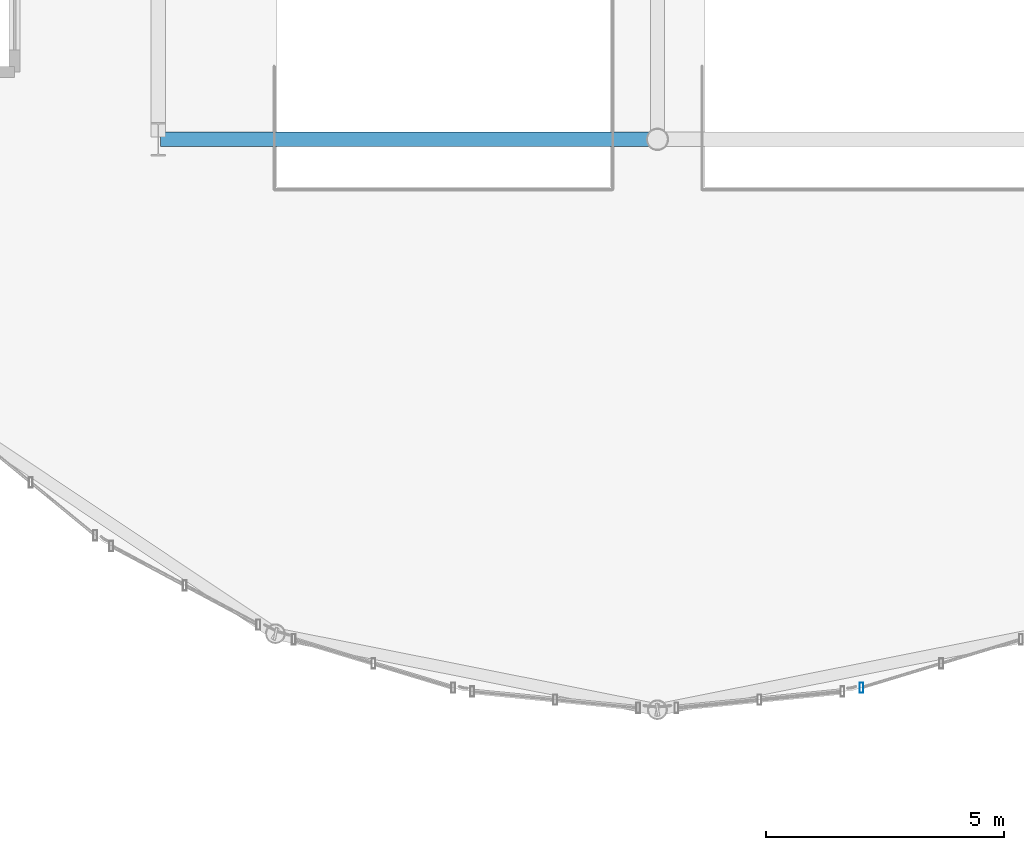
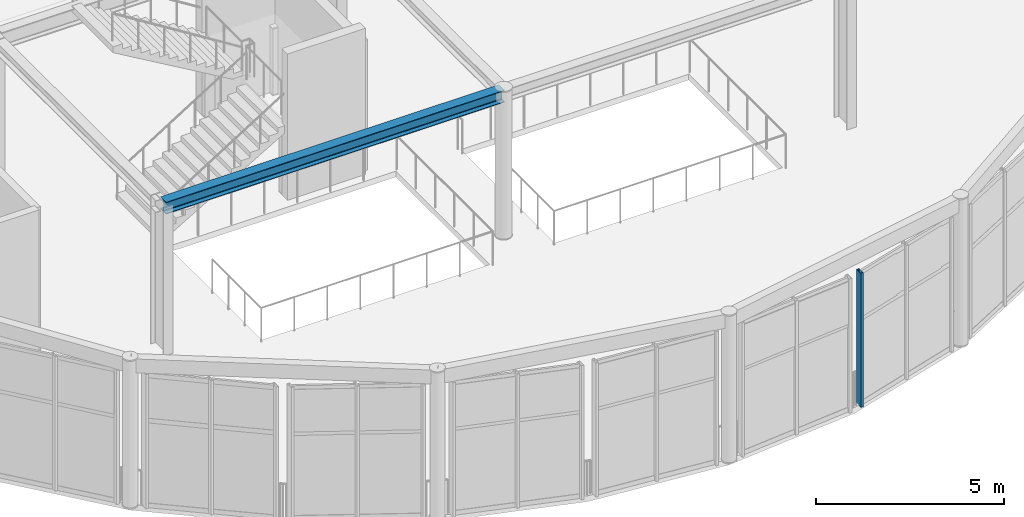
# One storey, part 30 of 143: 1 beam, 1 member, 1 element without a shape of its own.
"""IFC4 building model written with IfcOpenShell, lengths in metres."""

from ifc_helpers import new_model, si_unit, direction, frame, origin, origin_2d, place, context, subcontext, project, spatial, hollow_rectangle, i_section, extrude, material, layer, layer_set, material_profile, profile_set, type_object, element, aggregate, save


model = new_model("IFC4")

# Units and contexts
model_context = context("Model", 3, precision=1e-05, world=origin(), true_north=direction((0.0, 1.0)))
body_context = subcontext(model_context, "Body", "Model", "MODEL_VIEW")
ifc_project = project(units=[si_unit("LENGTHUNIT", "METRE"), si_unit("AREAUNIT", "SQUARE_METRE"), si_unit("VOLUMEUNIT", "CUBIC_METRE"), si_unit("PLANEANGLEUNIT", "RADIAN"), si_unit("MASSUNIT", "GRAM", prefix="KILO")], contexts=[model_context])

# Site, building, storey
site_placement = place(None, origin())
site = spatial("IfcSite", under=ifc_project, at=site_placement, CompositionType="ELEMENT")
building_placement = place(site_placement, origin())
building = spatial("IfcBuilding", under=site, at=building_placement, Name="Marlcrest Central Station", CompositionType="ELEMENT")
storey_placement = place(building_placement, frame((0.0, 0.0, 4.800048828125)))
storey = spatial("IfcBuildingStorey", under=building, at=storey_placement, Name="L01", CompositionType="ELEMENT", Elevation=4.800048828125)

# Beam
ifc_material_1 = material(Name="Steel S355", Category="steel")
ifc_material_profile_1 = material_profile(ifc_material_1, i_section(OverallWidth=0.300048828125, OverallDepth=0.389892578125, WebThickness=0.010986328125, FlangeThickness=0.01904296875, FilletRadius=0.027099609375, at=origin_2d()), Name="HEA 400")
ifc_profile_set_1 = profile_set([ifc_material_profile_1], Name="Steel S355")
beam_type = type_object("IfcBeamType", Name="BM-08", PredefinedType="BEAM", material=ifc_profile_set_1)
beam_placement = place(storey_placement, frame((97.550048828125, 13.5, 4.619873046875), z_axis=(1.0, 0.0, 0.0), x_axis=(0.0, 1.0, 0.0)))
element("IfcBeam", 1, at=beam_placement, inside=storey, type_object=beam_type, Name="bm-BM-08-L01-01365", PredefinedType="BEAM", context=body_context, shape_type="SweptSolid", body=[
    extrude(i_section(OverallWidth=0.300048828125, OverallDepth=0.389892578125, WebThickness=0.010986328125, FlangeThickness=0.01904296875, FilletRadius=0.027099609375, at=origin_2d()), origin(), (0.0, 0.0, 1.0), 10.39990234375),
])

# Curtain wall, member
ifc_material_2 = material(Name="Anodised aluminium and hurricane laminated glass", Category="aluminium")
ifc_layer = layer(ifc_material_2, 0.219970703125, Name="CW-U1")
ifc_layer_set = layer_set([ifc_layer], Name="Anodised aluminium and hurricane laminated glass")
curtain_wall_type = type_object("IfcCurtainWallType", Name="CW-U1", PredefinedType="USERDEFINED", material=ifc_layer_set)
curtain_wall_placement = place(storey_placement, origin())
curtain_wall = element("IfcCurtainWall", 2, at=curtain_wall_placement, inside=storey, type_object=curtain_wall_type, Name="cw-L01-0018", ObjectType="UNITISED_CURTAIN_WALL", PredefinedType="USERDEFINED")
ifc_material_3 = material(Name="Anodised aluminium 6063-T6", Category="aluminium")
ifc_material_profile_2 = material_profile(ifc_material_3, hollow_rectangle(XDim=0.080078125, YDim=0.219970703125, WallThickness=0.006103515625, at=origin_2d()), Name="AA-RHS 220x80x6")
ifc_profile_set_2 = profile_set([ifc_material_profile_2], Name="Anodised aluminium 6063-T6")
member_type = type_object("IfcMemberType", Name="ML-01", PredefinedType="MULLION", material=ifc_profile_set_2)
member_placement = place(storey_placement, frame((112.2939453125, 1.963623046875, -0.030029296875), z_axis=(0.0, 0.0, 1.0), x_axis=(1.0, 0.0, 0.0)))
member = element("IfcMember", 3, at=member_placement, type_object=member_type, Name="cw-L01-0018-ml-2", PredefinedType="MULLION", context=body_context, shape_type="SweptSolid", body=[
    extrude(hollow_rectangle(XDim=0.080078125, YDim=0.219970703125, WallThickness=0.006103515625, at=origin_2d()), origin(), (0.0, 0.0, 1.0), 4.35986328125),
])
aggregate(curtain_wall, [member])

save(model, "model.ifc")
